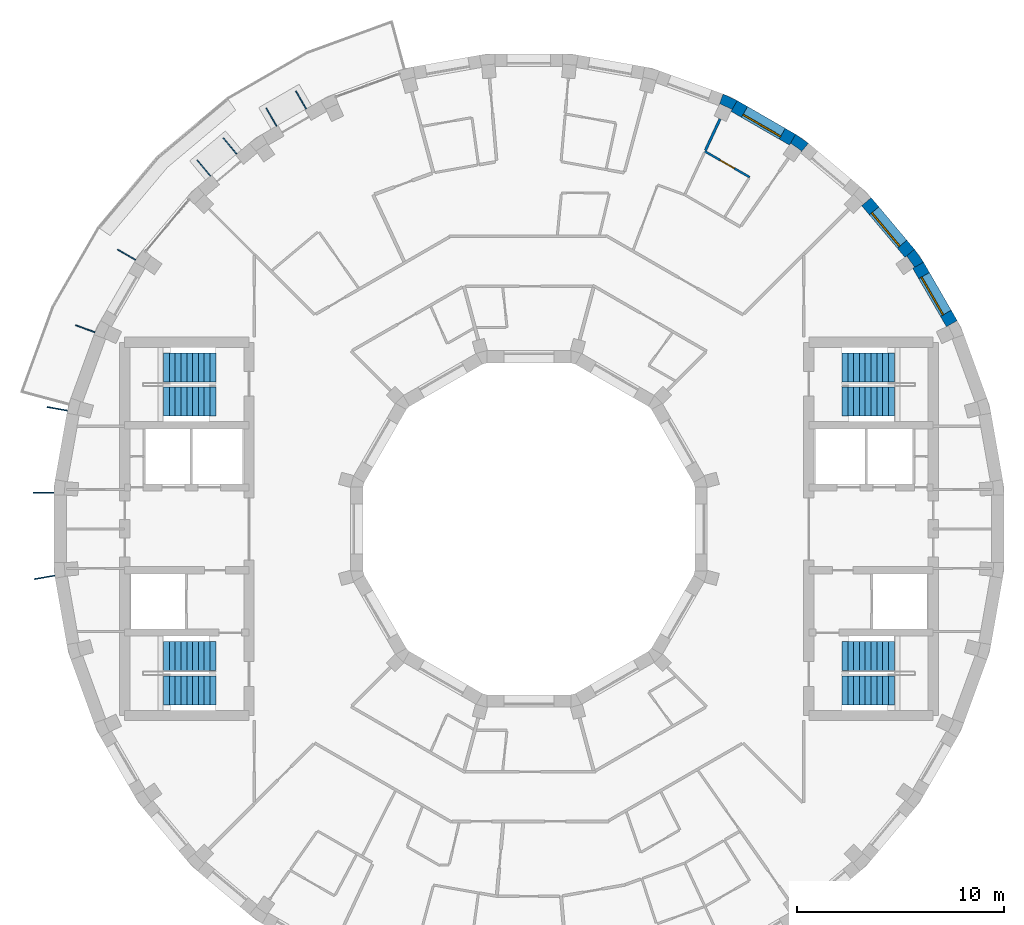
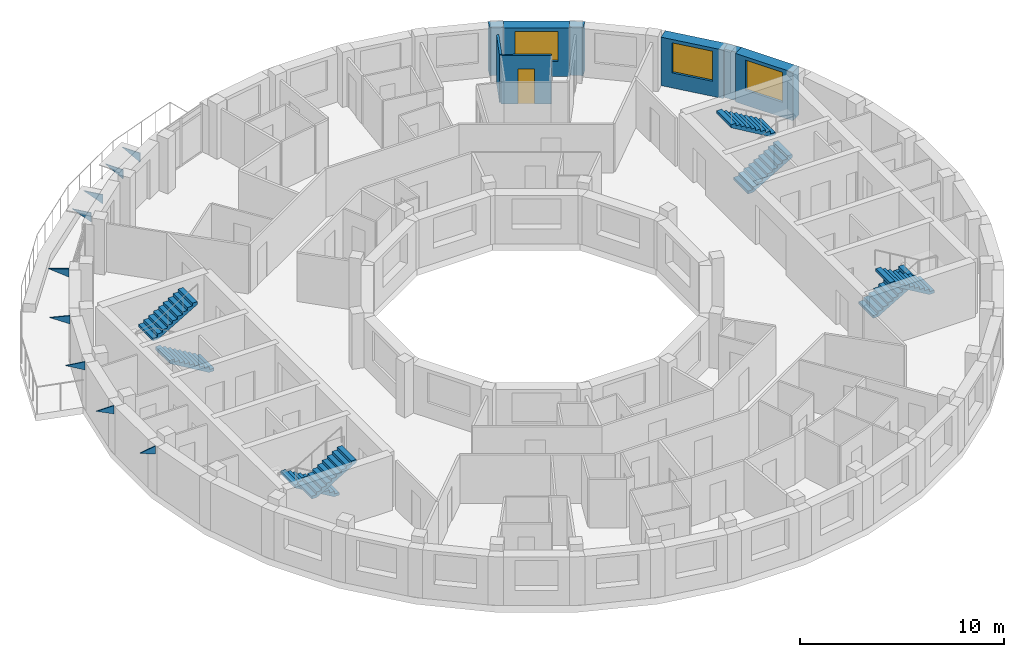
# One storey, part 11 of 12: 9 discrete accessories, 8 stair flights, 8 walls, 3 windows, 1 door, 4 openings, 4 elements without a shape of their own.
"""IFC4 building model written with IfcOpenShell, lengths in metres."""

from ifc_helpers import new_model, si_unit, direction, frame, frame_2d, origin, place, context, subcontext, project, spatial, polyline, rectangle, outline, extrude, material, layer, layer_set, type_object, element, fill, aggregate, save


model = new_model("IFC4")

# Units and contexts
model_context = context("Model", 3, precision=1e-05, world=origin(), true_north=direction((0.0, 1.0)))
body_context = subcontext(model_context, "Body", "Model", "MODEL_VIEW")
ifc_project = project(units=[si_unit("LENGTHUNIT", "METRE"), si_unit("AREAUNIT", "SQUARE_METRE"), si_unit("VOLUMEUNIT", "CUBIC_METRE"), si_unit("PLANEANGLEUNIT", "RADIAN"), si_unit("MASSUNIT", "GRAM", prefix="KILO")], contexts=[model_context])

# Site, building, storey
site_placement = place(None, origin())
site = spatial("IfcSite", under=ifc_project, at=site_placement, CompositionType="ELEMENT")
building_placement = place(site_placement, origin())
building = spatial("IfcBuilding", under=site, at=building_placement, Name="Saqina Gate Tower", CompositionType="ELEMENT")
storey_placement = place(building_placement, frame((0.0, 0.0, 236.300048828125)))
storey = spatial("IfcBuildingStorey", under=building, at=storey_placement, Name="L67", CompositionType="ELEMENT", Elevation=236.300048828125)

# Walls
ifc_material_1 = material(Name="Brick masonry (buff)", Category="masonry")
wall_type_1 = type_object("IfcWallType", Name="BRICK PIER COPING BUFF", PredefinedType="SOLIDWALL", material=ifc_material_1)
wall_1_placement = place(storey_placement, origin())
element("IfcWall", 1, at=wall_1_placement, inside=storey, type_object=wall_type_1, Name="Pier cap L67 column 4", PredefinedType="SOLIDWALL", context=body_context, shape_type="SweptSolid", body=[
    extrude(outline(polyline([(19.02978515625, 12.8642578125), (18.59716796875, 13.482421875), (18.137451171875, 13.0966796875), (18.22412109375, 13.157470703125), (18.596923828125, 12.625), (18.51025390625, 12.564208984375), (19.02978515625, 12.8642578125)])), origin(), (0.0, 0.0, 1.0), 2.89990234375),
])
wall_2_placement = place(storey_placement, origin())
element("IfcWall", 2, at=wall_2_placement, inside=storey, type_object=wall_type_1, Name="Pier cap L67 column 6", PredefinedType="SOLIDWALL", context=body_context, shape_type="SweptSolid", body=[
    extrude(outline(polyline([(12.8642578125, 19.02978515625), (12.564208984375, 18.51025390625), (12.625, 18.596923828125), (13.157470703125, 18.22412109375), (13.0966796875, 18.137451171875), (13.482421875, 18.59716796875), (12.8642578125, 19.02978515625)])), origin(), (0.0, 0.0, 1.0), 2.89990234375),
])
wall_3_placement = place(storey_placement, origin())
element("IfcWall", 3, at=wall_3_placement, inside=storey, type_object=wall_type_1, Name="Pier cap L67 column 7", PredefinedType="SOLIDWALL", context=body_context, shape_type="SweptSolid", body=[
    extrude(outline(polyline([(10.048095703125, 20.65576171875), (9.3642578125, 20.974609375), (9.1591796875, 20.410888671875), (9.203857421875, 20.506591796875), (9.79296875, 20.23193359375), (9.748291015625, 20.135986328125), (10.048095703125, 20.65576171875)])), origin(), (0.0, 0.0, 1.0), 2.89990234375),
])

# Wall, opening, window
ifc_material_2 = material(Name="Brick masonry (buff)", Category="masonry")
ifc_layer_1 = layer(ifc_material_2, 0.60009765625)
ifc_layer_set_1 = layer_set([ifc_layer_1], Name="FW-BRICK-BUFF")
wall_type_2 = type_object("IfcWallType", Name="FW-BRICK-BUFF", PredefinedType="SOLIDWALL", material=ifc_layer_set_1)
wall_4_placement = place(storey_placement, frame((20.39599609375, 9.898193359375, 0.0), z_axis=(0.0, 0.0, 1.0), x_axis=(-0.500014901547, 0.866016800201, 0.0)))
wall_4 = element("IfcWall", 4, at=wall_4_placement, inside=storey, type_object=wall_type_2, Name="Facade wall L67 facet 3", PredefinedType="SOLIDWALL", context=body_context, shape_type="SweptSolid", body=[
    extrude(rectangle(XDim=3.251953125, YDim=0.60009765625, at=frame_2d((1.6259765625, 0.0))), origin(), (0.0, 0.0, 1.0), 2.89990234375),
])
opening_1_placement = place(wall_4_placement, frame((0.57568359375, 0.0, 0.89990234375)))
opening_1 = element("IfcOpeningElement", 5, at=opening_1_placement, cuts=wall_4, Name="Opening G19-W01", PredefinedType="OPENING", context=body_context, shape_type="SweptSolid", body=[
    extrude(rectangle(XDim=2.10009765625, YDim=1.800048828125, at=frame_2d((1.050048828125, 0.89990234375))), frame((0.0, 0.31201171875, 0.0), z_axis=(0.0, -1.0, 0.0), x_axis=(1.0, 0.0, 0.0)), (0.0, 0.0, 1.0), 0.6240234375),
])
ifc_material_3 = material(Name="Aluminium glazing", Category="aluminium")
window_type = type_object("IfcWindowType", Name="WN-D", PartitioningType="SINGLE_PANEL", PredefinedType="WINDOW", material=ifc_material_3)
window_1_placement = place(opening_1_placement, origin())
window_1 = element("IfcWindow", 6, at=window_1_placement, inside=storey, type_object=window_type, Name="Window L67 facet 3", OverallHeight=1.800048828125, OverallWidth=2.10009765625, PartitioningType="SINGLE_PANEL", PredefinedType="WINDOW", context=body_context, shape_type="SweptSolid", body=[
    extrude(rectangle(XDim=2.10009765625, YDim=1.800048828125, at=frame_2d((1.050048828125, 0.89990234375))), frame((0.0, 0.179931640625, 0.0), z_axis=(0.0, -1.0, 0.0), x_axis=(1.0, 0.0, 0.0)), (0.0, 0.0, 1.0), 0.06005859375),
])
fill(opening_1, window_1)

wall_5_placement = place(storey_placement, frame((18.3671875, 13.28955078125, 0.0), z_axis=(0.0, 0.0, 1.0), x_axis=(-0.64277291405, 0.766056773982, 0.0)))
wall_5 = element("IfcWall", 7, at=wall_5_placement, inside=storey, type_object=wall_type_2, Name="Facade wall L67 facet 4", PredefinedType="SOLIDWALL", context=body_context, shape_type="SweptSolid", body=[
    extrude(rectangle(XDim=3.251708984375, YDim=0.60009765625, at=frame_2d((1.6259765625, 0.0))), origin(), (0.0, 0.0, 1.0), 2.89990234375),
])
opening_2_placement = place(wall_5_placement, frame((0.57568359375, 0.0, 0.89990234375)))
opening_2 = element("IfcOpeningElement", 8, at=opening_2_placement, cuts=wall_5, Name="Opening G19-W02", PredefinedType="OPENING", context=body_context, shape_type="SweptSolid", body=[
    extrude(rectangle(XDim=2.10009765625, YDim=1.800048828125, at=frame_2d((1.050048828125, 0.89990234375))), frame((0.0, 0.31201171875, 0.0), z_axis=(0.0, -1.0, 0.0), x_axis=(1.0, 0.0, 0.0)), (0.0, 0.0, 1.0), 0.6240234375),
])
window_2_placement = place(opening_2_placement, origin())
window_2 = element("IfcWindow", 9, at=window_2_placement, inside=storey, type_object=window_type, Name="Window L67 facet 4", OverallHeight=1.800048828125, OverallWidth=2.10009765625, PartitioningType="SINGLE_PANEL", PredefinedType="WINDOW", context=body_context, shape_type="SweptSolid", body=[
    extrude(rectangle(XDim=2.10009765625, YDim=1.800048828125, at=frame_2d((1.050048828125, 0.89990234375))), frame((0.0, 0.179931640625, 0.0), z_axis=(0.0, -1.0, 0.0), x_axis=(1.0, 0.0, 0.0)), (0.0, 0.0, 1.0), 0.06005859375),
])
fill(opening_2, window_2)

wall_6_placement = place(storey_placement, frame((12.71435546875, 18.77001953125, 0.0), z_axis=(0.0, 0.0, 1.0), x_axis=(-0.866016800201, 0.500014901547, 0.0)))
wall_6 = element("IfcWall", 10, at=wall_6_placement, inside=storey, type_object=wall_type_2, Name="Facade wall L67 facet 6", PredefinedType="SOLIDWALL", context=body_context, shape_type="SweptSolid", body=[
    extrude(rectangle(XDim=3.251953125, YDim=0.60009765625, at=frame_2d((1.6259765625, 0.0))), origin(), (0.0, 0.0, 1.0), 2.89990234375),
])
opening_3_placement = place(wall_6_placement, frame((0.57568359375, 0.0, 0.89990234375)))
opening_3 = element("IfcOpeningElement", 11, at=opening_3_placement, cuts=wall_6, Name="Opening G19-W04", PredefinedType="OPENING", context=body_context, shape_type="SweptSolid", body=[
    extrude(rectangle(XDim=2.10009765625, YDim=1.800048828125, at=frame_2d((1.050048828125, 0.89990234375))), frame((0.0, 0.31201171875, 0.0), z_axis=(0.0, -1.0, 0.0), x_axis=(1.0, 0.0, 0.0)), (0.0, 0.0, 1.0), 0.6240234375),
])
window_3_placement = place(opening_3_placement, origin())
window_3 = element("IfcWindow", 12, at=window_3_placement, inside=storey, type_object=window_type, Name="Window L67 facet 6", OverallHeight=1.800048828125, OverallWidth=2.10009765625, PartitioningType="SINGLE_PANEL", PredefinedType="WINDOW", context=body_context, shape_type="SweptSolid", body=[
    extrude(rectangle(XDim=2.10009765625, YDim=1.800048828125, at=frame_2d((1.050048828125, 0.89990234375))), frame((0.0, 0.179931640625, 0.0), z_axis=(0.0, -1.0, 0.0), x_axis=(1.0, 0.0, 0.0)), (0.0, 0.0, 1.0), 0.06005859375),
])
fill(opening_3, window_3)

# Wall, opening, door
ifc_material_4 = material(Name="Gypsum board on steel studs, 100 mm", Category="steel")
ifc_layer_2 = layer(ifc_material_4, 0.10009765625)
ifc_layer_set_2 = layer_set([ifc_layer_2], Name="PARTITION 100")
wall_type_3 = type_object("IfcWallType", Name="PARTITION 100", PredefinedType="PARTITIONING", material=ifc_layer_set_2)
wall_7_placement = place(storey_placement, frame((8.489990234375, 18.20703125, 0.0), z_axis=(0.0, 0.0, 1.0), x_axis=(0.866063163075, -0.499934593286, 0.0)))
wall_7 = element("IfcWall", 13, at=wall_7_placement, inside=storey, type_object=wall_type_3, Name="PARTITION PW3-19", PredefinedType="PARTITIONING", context=body_context, shape_type="SweptSolid", body=[
    extrude(rectangle(XDim=2.490478515625, YDim=0.10009765625, at=frame_2d((1.2451171875, 0.0))), origin(), (0.0, 0.0, 1.0), 2.89990234375),
])
opening_4_placement = place(wall_7_placement, frame((0.84521484375, 0.0, 0.0)))
opening_4 = element("IfcOpeningElement", 14, at=opening_4_placement, cuts=wall_7, Name="Opening G19-D06", PredefinedType="OPENING", context=body_context, shape_type="SweptSolid", body=[
    extrude(rectangle(XDim=0.800048828125, YDim=2.10009765625, at=frame_2d((0.39990234375, 1.050048828125))), frame((0.0, 0.06201171875, 0.0), z_axis=(0.0, -1.0, 0.0), x_axis=(1.0, 0.0, 0.0)), (0.0, 0.0, 1.0), 0.1240234375),
])
ifc_material_5 = material(Name="Timber door leaf, 800 mm", Category="wood")
door_type = type_object("IfcDoorType", Name="DOOR 800 TIMBER", OperationType="SINGLE_SWING_LEFT", PredefinedType="DOOR", material=ifc_material_5)
door_placement = place(opening_4_placement, origin())
door = element("IfcDoor", 15, at=door_placement, inside=storey, type_object=door_type, Name="DOOR G19-D06", OperationType="SINGLE_SWING_RIGHT", OverallHeight=2.10009765625, OverallWidth=0.800048828125, PredefinedType="DOOR", context=body_context, shape_type="SweptSolid", body=[
    extrude(rectangle(XDim=0.800048828125, YDim=2.10009765625, at=frame_2d((0.39990234375, 1.050048828125))), frame((0.0, 0.02490234375, 0.0), z_axis=(0.0, -1.0, 0.0), x_axis=(1.0, 0.0, 0.0)), (0.0, 0.0, 1.0), 0.050048828125),
])
fill(opening_4, door)

# Wall
ifc_material_6 = material(Name="Gypsum board on steel studs, 125 mm, fire rated", Category="steel")
ifc_layer_3 = layer(ifc_material_6, 0.125)
ifc_layer_set_3 = layer_set([ifc_layer_3], Name="PARTITION EI 30 125")
wall_type_4 = type_object("IfcWallType", Name="PARTITION EI 30 125", PredefinedType="PARTITIONING", material=ifc_layer_set_3)
wall_8_placement = place(storey_placement, frame((8.51123046875, 18.252197265625, 0.0), z_axis=(0.0, 0.0, 1.0), x_axis=(0.422749886817, 0.906246397618, 0.0)))
element("IfcWall", 16, at=wall_8_placement, inside=storey, type_object=wall_type_4, Name="PARTITION PW1-36", PredefinedType="PARTITIONING", context=body_context, shape_type="SweptSolid", body=[
    extrude(rectangle(XDim=1.676025390625, YDim=0.125, at=frame_2d((0.837890625, 0.0))), origin(), (0.0, 0.0, 1.0), 2.89990234375),
])

# Stair, stair flights
ifc_material_7 = material(Name="Concrete C40/50", Category="concrete")
stair_type = type_object("IfcStairType", Name="EXIT STAIR", PredefinedType="HALF_TURN_STAIR", material=ifc_material_7)
stair_1_placement = place(storey_placement, origin())
stair_1 = element("IfcStair", 17, at=stair_1_placement, inside=storey, type_object=stair_type, Name="EXIT STAIR 1", PredefinedType="HALF_TURN_STAIR")
ifc_material_8 = material(Name="Concrete C40/50", Category="concrete")
stair_flight_type = type_object("IfcStairFlightType", Name="EXIT STAIR FLIGHT", PredefinedType="STRAIGHT", material=ifc_material_8)
stair_flight_1_placement = place(storey_placement, frame((15.10009765625, 6.13330078125, 0.0), z_axis=(0.0, 0.0, 1.0), x_axis=(1.0, 0.0, 0.0)))
stair_flight_1 = element("IfcStairFlight", 18, at=stair_flight_1_placement, type_object=stair_flight_type, Name="EXIT STAIR 1 FLIGHT 1", NumberOfRisers=10, NumberOfTreads=9, PredefinedType="STRAIGHT", RiserHeight=0.165, TreadLength=0.28, context=body_context, shape_type="SweptSolid", body=[
    extrude(outline(polyline([(0.0, 0.0), (0.0, 0.1650390625), (0.280029296875, 0.1650390625), (0.280029296875, 0.330078125), (0.56005859375, 0.330078125), (0.56005859375, 0.4951171875), (0.840087890625, 0.4951171875), (0.840087890625, 0.659912109375), (1.1201171875, 0.659912109375), (1.1201171875, 0.824951171875), (1.39990234375, 0.824951171875), (1.39990234375, 0.989990234375), (1.679931640625, 0.989990234375), (1.679931640625, 1.155029296875), (1.9599609375, 1.155029296875), (1.9599609375, 1.320068359375), (2.239990234375, 1.320068359375), (2.239990234375, 1.485107421875), (2.52001953125, 1.485107421875), (2.52001953125, 1.64990234375), (2.52001953125, 1.31103515625), (0.295166015625, 0.0), (0.0, 0.0)])), frame((0.0, 0.699951171875, 0.0), z_axis=(0.0, -1.0, 0.0), x_axis=(1.0, 0.0, 0.0)), (0.0, 0.0, 1.0), 1.39990234375),
])
stair_flight_2_placement = place(storey_placement, frame((17.6201171875, 7.791748046875, 1.64990234375), z_axis=(0.0, 0.0, 1.0), x_axis=(-1.0, 0.0, 0.0)))
stair_flight_2 = element("IfcStairFlight", 19, at=stair_flight_2_placement, type_object=stair_flight_type, Name="EXIT STAIR 1 FLIGHT 2", NumberOfRisers=10, NumberOfTreads=9, PredefinedType="STRAIGHT", RiserHeight=0.165, TreadLength=0.28, context=body_context, shape_type="SweptSolid", body=[
    extrude(outline(polyline([(0.0, 0.0), (0.0, 0.1650390625), (0.280029296875, 0.1650390625), (0.280029296875, 0.330078125), (0.56005859375, 0.330078125), (0.56005859375, 0.4951171875), (0.840087890625, 0.4951171875), (0.840087890625, 0.659912109375), (1.1201171875, 0.659912109375), (1.1201171875, 0.824951171875), (1.39990234375, 0.824951171875), (1.39990234375, 0.989990234375), (1.679931640625, 0.989990234375), (1.679931640625, 1.155029296875), (1.9599609375, 1.155029296875), (1.9599609375, 1.320068359375), (2.239990234375, 1.320068359375), (2.239990234375, 1.485107421875), (2.52001953125, 1.485107421875), (2.52001953125, 1.64990234375), (2.52001953125, 1.31103515625), (0.295166015625, 0.0), (0.0, 0.0)])), frame((0.0, 0.699951171875, 0.0), z_axis=(0.0, -1.0, 0.0), x_axis=(1.0, 0.0, 0.0)), (0.0, 0.0, 1.0), 1.39990234375),
])
aggregate(stair_1, [stair_flight_1, stair_flight_2])

stair_2_placement = place(storey_placement, origin())
stair_2 = element("IfcStair", 20, at=stair_2_placement, inside=storey, type_object=stair_type, Name="EXIT STAIR 2", PredefinedType="HALF_TURN_STAIR")
stair_flight_3_placement = place(storey_placement, frame((15.10009765625, -6.13330078125, 0.0), z_axis=(0.0, 0.0, 1.0), x_axis=(1.0, 0.0, 0.0)))
stair_flight_3 = element("IfcStairFlight", 21, at=stair_flight_3_placement, type_object=stair_flight_type, Name="EXIT STAIR 2 FLIGHT 1", NumberOfRisers=10, NumberOfTreads=9, PredefinedType="STRAIGHT", RiserHeight=0.165, TreadLength=0.28, context=body_context, shape_type="SweptSolid", body=[
    extrude(outline(polyline([(0.0, 0.0), (0.0, 0.1650390625), (0.280029296875, 0.1650390625), (0.280029296875, 0.330078125), (0.56005859375, 0.330078125), (0.56005859375, 0.4951171875), (0.840087890625, 0.4951171875), (0.840087890625, 0.659912109375), (1.1201171875, 0.659912109375), (1.1201171875, 0.824951171875), (1.39990234375, 0.824951171875), (1.39990234375, 0.989990234375), (1.679931640625, 0.989990234375), (1.679931640625, 1.155029296875), (1.9599609375, 1.155029296875), (1.9599609375, 1.320068359375), (2.239990234375, 1.320068359375), (2.239990234375, 1.485107421875), (2.52001953125, 1.485107421875), (2.52001953125, 1.64990234375), (2.52001953125, 1.31103515625), (0.295166015625, 0.0), (0.0, 0.0)])), frame((0.0, 0.699951171875, 0.0), z_axis=(0.0, -1.0, 0.0), x_axis=(1.0, 0.0, 0.0)), (0.0, 0.0, 1.0), 1.39990234375),
])
stair_flight_4_placement = place(storey_placement, frame((17.6201171875, -7.791748046875, 1.64990234375), z_axis=(0.0, 0.0, 1.0), x_axis=(-1.0, 0.0, 0.0)))
stair_flight_4 = element("IfcStairFlight", 22, at=stair_flight_4_placement, type_object=stair_flight_type, Name="EXIT STAIR 2 FLIGHT 2", NumberOfRisers=10, NumberOfTreads=9, PredefinedType="STRAIGHT", RiserHeight=0.165, TreadLength=0.28, context=body_context, shape_type="SweptSolid", body=[
    extrude(outline(polyline([(0.0, 0.0), (0.0, 0.1650390625), (0.280029296875, 0.1650390625), (0.280029296875, 0.330078125), (0.56005859375, 0.330078125), (0.56005859375, 0.4951171875), (0.840087890625, 0.4951171875), (0.840087890625, 0.659912109375), (1.1201171875, 0.659912109375), (1.1201171875, 0.824951171875), (1.39990234375, 0.824951171875), (1.39990234375, 0.989990234375), (1.679931640625, 0.989990234375), (1.679931640625, 1.155029296875), (1.9599609375, 1.155029296875), (1.9599609375, 1.320068359375), (2.239990234375, 1.320068359375), (2.239990234375, 1.485107421875), (2.52001953125, 1.485107421875), (2.52001953125, 1.64990234375), (2.52001953125, 1.31103515625), (0.295166015625, 0.0), (0.0, 0.0)])), frame((0.0, 0.699951171875, 0.0), z_axis=(0.0, -1.0, 0.0), x_axis=(1.0, 0.0, 0.0)), (0.0, 0.0, 1.0), 1.39990234375),
])
aggregate(stair_2, [stair_flight_3, stair_flight_4])

stair_3_placement = place(storey_placement, origin())
stair_3 = element("IfcStair", 23, at=stair_3_placement, inside=storey, type_object=stair_type, Name="EXIT STAIR 3", PredefinedType="HALF_TURN_STAIR")
stair_flight_5_placement = place(storey_placement, frame((-15.10009765625, 6.13330078125, 0.0), z_axis=(0.0, 0.0, 1.0), x_axis=(-1.0, 0.0, 0.0)))
stair_flight_5 = element("IfcStairFlight", 24, at=stair_flight_5_placement, type_object=stair_flight_type, Name="EXIT STAIR 3 FLIGHT 1", NumberOfRisers=10, NumberOfTreads=9, PredefinedType="STRAIGHT", RiserHeight=0.165, TreadLength=0.28, context=body_context, shape_type="SweptSolid", body=[
    extrude(outline(polyline([(0.0, 0.0), (0.0, 0.1650390625), (0.280029296875, 0.1650390625), (0.280029296875, 0.330078125), (0.56005859375, 0.330078125), (0.56005859375, 0.4951171875), (0.840087890625, 0.4951171875), (0.840087890625, 0.659912109375), (1.1201171875, 0.659912109375), (1.1201171875, 0.824951171875), (1.39990234375, 0.824951171875), (1.39990234375, 0.989990234375), (1.679931640625, 0.989990234375), (1.679931640625, 1.155029296875), (1.9599609375, 1.155029296875), (1.9599609375, 1.320068359375), (2.239990234375, 1.320068359375), (2.239990234375, 1.485107421875), (2.52001953125, 1.485107421875), (2.52001953125, 1.64990234375), (2.52001953125, 1.31103515625), (0.295166015625, 0.0), (0.0, 0.0)])), frame((0.0, 0.699951171875, 0.0), z_axis=(0.0, -1.0, 0.0), x_axis=(1.0, 0.0, 0.0)), (0.0, 0.0, 1.0), 1.39990234375),
])
stair_flight_6_placement = place(storey_placement, frame((-17.6201171875, 7.791748046875, 1.64990234375), z_axis=(0.0, 0.0, 1.0), x_axis=(1.0, 0.0, 0.0)))
stair_flight_6 = element("IfcStairFlight", 25, at=stair_flight_6_placement, type_object=stair_flight_type, Name="EXIT STAIR 3 FLIGHT 2", NumberOfRisers=10, NumberOfTreads=9, PredefinedType="STRAIGHT", RiserHeight=0.165, TreadLength=0.28, context=body_context, shape_type="SweptSolid", body=[
    extrude(outline(polyline([(0.0, 0.0), (0.0, 0.1650390625), (0.280029296875, 0.1650390625), (0.280029296875, 0.330078125), (0.56005859375, 0.330078125), (0.56005859375, 0.4951171875), (0.840087890625, 0.4951171875), (0.840087890625, 0.659912109375), (1.1201171875, 0.659912109375), (1.1201171875, 0.824951171875), (1.39990234375, 0.824951171875), (1.39990234375, 0.989990234375), (1.679931640625, 0.989990234375), (1.679931640625, 1.155029296875), (1.9599609375, 1.155029296875), (1.9599609375, 1.320068359375), (2.239990234375, 1.320068359375), (2.239990234375, 1.485107421875), (2.52001953125, 1.485107421875), (2.52001953125, 1.64990234375), (2.52001953125, 1.31103515625), (0.295166015625, 0.0), (0.0, 0.0)])), frame((0.0, 0.699951171875, 0.0), z_axis=(0.0, -1.0, 0.0), x_axis=(1.0, 0.0, 0.0)), (0.0, 0.0, 1.0), 1.39990234375),
])
aggregate(stair_3, [stair_flight_5, stair_flight_6])

stair_4_placement = place(storey_placement, origin())
stair_4 = element("IfcStair", 26, at=stair_4_placement, inside=storey, type_object=stair_type, Name="EXIT STAIR 4", PredefinedType="HALF_TURN_STAIR")
stair_flight_7_placement = place(storey_placement, frame((-15.10009765625, -6.13330078125, 0.0), z_axis=(0.0, 0.0, 1.0), x_axis=(-1.0, 0.0, 0.0)))
stair_flight_7 = element("IfcStairFlight", 27, at=stair_flight_7_placement, type_object=stair_flight_type, Name="EXIT STAIR 4 FLIGHT 1", NumberOfRisers=10, NumberOfTreads=9, PredefinedType="STRAIGHT", RiserHeight=0.165, TreadLength=0.28, context=body_context, shape_type="SweptSolid", body=[
    extrude(outline(polyline([(0.0, 0.0), (0.0, 0.1650390625), (0.280029296875, 0.1650390625), (0.280029296875, 0.330078125), (0.56005859375, 0.330078125), (0.56005859375, 0.4951171875), (0.840087890625, 0.4951171875), (0.840087890625, 0.659912109375), (1.1201171875, 0.659912109375), (1.1201171875, 0.824951171875), (1.39990234375, 0.824951171875), (1.39990234375, 0.989990234375), (1.679931640625, 0.989990234375), (1.679931640625, 1.155029296875), (1.9599609375, 1.155029296875), (1.9599609375, 1.320068359375), (2.239990234375, 1.320068359375), (2.239990234375, 1.485107421875), (2.52001953125, 1.485107421875), (2.52001953125, 1.64990234375), (2.52001953125, 1.31103515625), (0.295166015625, 0.0), (0.0, 0.0)])), frame((0.0, 0.699951171875, 0.0), z_axis=(0.0, -1.0, 0.0), x_axis=(1.0, 0.0, 0.0)), (0.0, 0.0, 1.0), 1.39990234375),
])
stair_flight_8_placement = place(storey_placement, frame((-17.6201171875, -7.791748046875, 1.64990234375), z_axis=(0.0, 0.0, 1.0), x_axis=(1.0, 0.0, 0.0)))
stair_flight_8 = element("IfcStairFlight", 28, at=stair_flight_8_placement, type_object=stair_flight_type, Name="EXIT STAIR 4 FLIGHT 2", NumberOfRisers=10, NumberOfTreads=9, PredefinedType="STRAIGHT", RiserHeight=0.165, TreadLength=0.28, context=body_context, shape_type="SweptSolid", body=[
    extrude(outline(polyline([(0.0, 0.0), (0.0, 0.1650390625), (0.280029296875, 0.1650390625), (0.280029296875, 0.330078125), (0.56005859375, 0.330078125), (0.56005859375, 0.4951171875), (0.840087890625, 0.4951171875), (0.840087890625, 0.659912109375), (1.1201171875, 0.659912109375), (1.1201171875, 0.824951171875), (1.39990234375, 0.824951171875), (1.39990234375, 0.989990234375), (1.679931640625, 0.989990234375), (1.679931640625, 1.155029296875), (1.9599609375, 1.155029296875), (1.9599609375, 1.320068359375), (2.239990234375, 1.320068359375), (2.239990234375, 1.485107421875), (2.52001953125, 1.485107421875), (2.52001953125, 1.64990234375), (2.52001953125, 1.31103515625), (0.295166015625, 0.0), (0.0, 0.0)])), frame((0.0, 0.699951171875, 0.0), z_axis=(0.0, -1.0, 0.0), x_axis=(1.0, 0.0, 0.0)), (0.0, 0.0, 1.0), 1.39990234375),
])
aggregate(stair_4, [stair_flight_7, stair_flight_8])

# Discrete accessories
ifc_material_9 = material(Name="Galvanised steel", Category="steel")
ifc_layer_4 = layer(ifc_material_9, 0.050048828125)
ifc_layer_set_4 = layer_set([ifc_layer_4], Name="BR-AWNING")
discrete_accessory_type_1 = type_object("IfcDiscreteAccessoryType", Name="BR-AWNING", PredefinedType="BRACKET", material=ifc_layer_set_4)
for number, where, z_axis, x_axis, name in (
    (29, (-10.7626953125, 20.2431640625, 1.974853515625), (-0.866010750942, -0.50002537861, 0.0), (0.0, 0.0, 1.0), "Awning bracket L67 facet 12"),
    (30, (-12.193115234375, 19.41748046875, 1.974853515625), (-0.866010750942, -0.50002537861, 0.0), (0.0, 0.0, 1.0), "Awning bracket L67 facet 12"),
):
    element("IfcDiscreteAccessory", number, at=place(storey_placement, frame(where, z_axis=z_axis, x_axis=x_axis)), inside=storey, type_object=discrete_accessory_type_1, Name=name, PredefinedType="BRACKET", context=body_context, shape_type="SweptSolid", body=[
        extrude(outline(polyline([(0.0, 0.0), (0.550048828125, 0.0), (0.550048828125, 0.9999492453569568), (0.0, 0.0)])), origin(), (0.0, 0.0, -1.0), 0.050048828125),
    ])
discrete_accessory_1_placement = place(storey_placement, frame((-14.114501953125, 18.06689453125, 1.974853515625), z_axis=(-0.766075170812, -0.64275098807, 0.0), x_axis=(0.0, 0.0, 1.0)))
element("IfcDiscreteAccessory", 31, at=discrete_accessory_1_placement, inside=storey, type_object=discrete_accessory_type_1, Name="Awning bracket L67 facet 13", PredefinedType="BRACKET", context=body_context, shape_type="SweptSolid", body=[
    extrude(outline(polyline([(0.0, 0.0), (0.550048828125, 0.0), (0.550048828125, 0.9997310574800564), (0.0, 0.0)])), origin(), (0.0, 0.0, -1.0), 0.050048828125),
])
discrete_accessory_2_placement = place(storey_placement, frame((-15.379638671875, 17.005126953125, 1.974853515625), z_axis=(-0.765954930181, -0.642894271969, 0.0), x_axis=(0.0, 0.0, 1.0)))
element("IfcDiscreteAccessory", 32, at=discrete_accessory_2_placement, inside=storey, type_object=discrete_accessory_type_1, Name="Awning bracket L67 facet 13", PredefinedType="BRACKET", context=body_context, shape_type="SweptSolid", body=[
    extrude(outline(polyline([(0.0, 0.0), (0.550048828125, 0.0), (0.550048828125, 0.9998879966000863), (0.0, 0.0)])), origin(), (0.0, 0.0, -1.0), 0.050048828125),
])
ifc_material_10 = material(Name="Galvanised steel", Category="steel")
ifc_layer_5 = layer(ifc_material_10, 0.050048828125)
ifc_layer_set_5 = layer_set([ifc_layer_5], Name="BR-GUSSET")
discrete_accessory_type_2 = type_object("IfcDiscreteAccessoryType", Name="BR-GUSSET", PredefinedType="BRACKET", material=ifc_layer_set_5)
discrete_accessory_3_placement = place(storey_placement, frame((-18.97802734375, 12.9541015625, 2.39990234375), z_axis=(-0.50002537861, -0.866010750942, 0.0), x_axis=(0.0, 0.0, 1.0)))
element("IfcDiscreteAccessory", 33, at=discrete_accessory_3_placement, inside=storey, type_object=discrete_accessory_type_2, Name="Terrace slab bracket L68 1", PredefinedType="BRACKET", context=body_context, shape_type="SweptSolid", body=[
    extrude(outline(polyline([(0.0, 0.0), (0.5, 0.0), (0.5, 0.9999492453569568), (0.0, 0.0)])), origin(), (0.0, 0.0, -1.0), 0.050048828125),
])
discrete_accessory_4_placement = place(storey_placement, frame((-20.939208984375, 9.4619140625, 2.39990234375), z_axis=(-0.341821477669, -0.939764905391, 0.0), x_axis=(0.0, 0.0, 1.0)))
element("IfcDiscreteAccessory", 34, at=discrete_accessory_4_placement, inside=storey, type_object=discrete_accessory_type_2, Name="Terrace slab bracket L68 2", PredefinedType="BRACKET", context=body_context, shape_type="SweptSolid", body=[
    extrude(outline(polyline([(0.0, 0.0), (0.5, 0.0), (0.5, 0.999928024801219), (0.0, 0.0)])), origin(), (0.0, 0.0, -1.0), 0.050048828125),
])
discrete_accessory_5_placement = place(storey_placement, frame((-22.263916015625, 5.681884765625, 2.39990234375), z_axis=(-0.173813186416, -0.984778643263, 0.0), x_axis=(0.0, 0.0, 1.0)))
element("IfcDiscreteAccessory", 35, at=discrete_accessory_5_placement, inside=storey, type_object=discrete_accessory_type_2, Name="Terrace slab bracket L68 3", PredefinedType="BRACKET", context=body_context, shape_type="SweptSolid", body=[
    extrude(outline(polyline([(0.0, 0.0), (0.5, 0.0), (0.5, 1.000085946204391), (0.0, 0.0)])), origin(), (0.0, 0.0, -1.0), 0.050048828125),
])
discrete_accessory_6_placement = place(storey_placement, frame((-22.91259765625, 1.7294921875, 2.39990234375), z_axis=(0.0, -1.0, 0.0), x_axis=(0.0, 0.0, 1.0)))
element("IfcDiscreteAccessory", 36, at=discrete_accessory_6_placement, inside=storey, type_object=discrete_accessory_type_2, Name="Terrace slab bracket L68 4", PredefinedType="BRACKET", context=body_context, shape_type="SweptSolid", body=[
    extrude(outline(polyline([(0.0, 0.0), (0.5, 0.0), (0.5, 1.0), (0.0, 0.0)])), origin(), (0.0, 0.0, -1.0), 0.050048828125),
])
discrete_accessory_7_placement = place(storey_placement, frame((-22.86474609375, -2.275390625, 2.39990234375), z_axis=(0.173813186416, -0.984778643263, 0.0), x_axis=(0.0, 0.0, 1.0)))
element("IfcDiscreteAccessory", 37, at=discrete_accessory_7_placement, inside=storey, type_object=discrete_accessory_type_2, Name="Terrace slab bracket L68 5", PredefinedType="BRACKET", context=body_context, shape_type="SweptSolid", body=[
    extrude(outline(polyline([(0.0, 0.0), (0.5, 0.0), (0.5, 1.000085946204391), (0.0, 0.0)])), origin(), (0.0, 0.0, -1.0), 0.050048828125),
])

save(model, "model.ifc")
